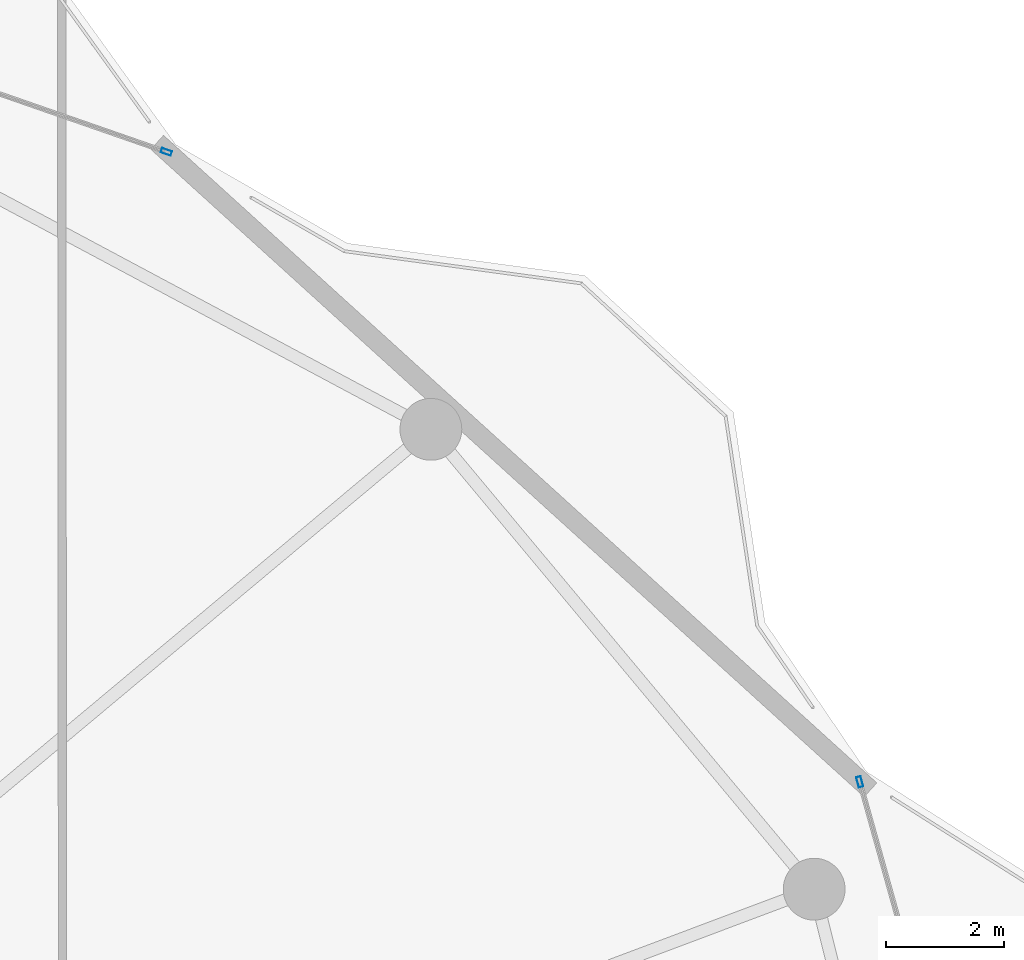
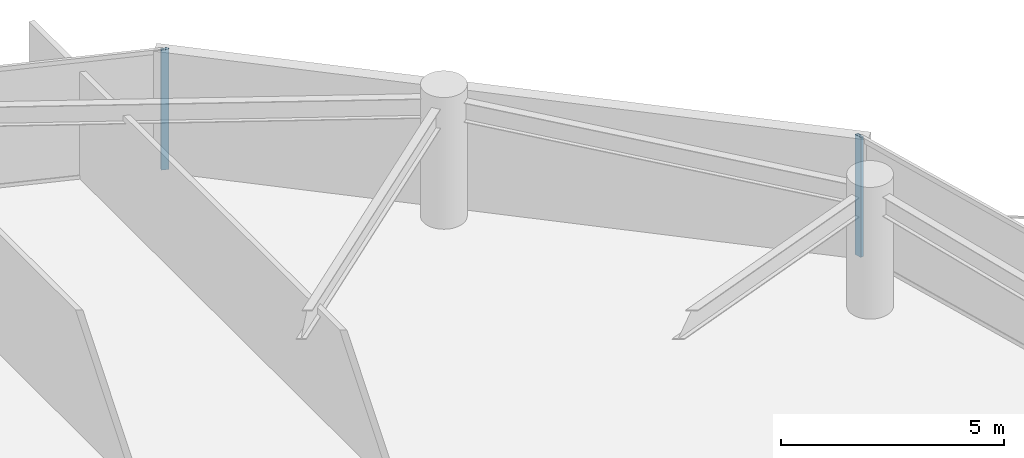
# One storey, part 21 of 29: 2 members, 2 elements without a shape of their own.
"""IFC4 building model written with IfcOpenShell, lengths in metres."""

from ifc_helpers import new_model, si_unit, direction, frame, origin, origin_2d, place, context, subcontext, project, spatial, hollow_rectangle, extrude, material, layer, layer_set, material_profile, profile_set, type_object, element, aggregate, save


model = new_model("IFC4")

# Units and contexts
model_context = context("Model", 3, precision=1e-05, world=origin(), true_north=direction((0.0, 1.0)))
body_context = subcontext(model_context, "Body", "Model", "MODEL_VIEW")
ifc_project = project(units=[si_unit("LENGTHUNIT", "METRE"), si_unit("AREAUNIT", "SQUARE_METRE"), si_unit("VOLUMEUNIT", "CUBIC_METRE"), si_unit("PLANEANGLEUNIT", "RADIAN"), si_unit("MASSUNIT", "GRAM", prefix="KILO")], contexts=[model_context])

# Site, building, storey
site_placement = place(None, origin())
site = spatial("IfcSite", under=ifc_project, at=site_placement, CompositionType="ELEMENT")
building_placement = place(site_placement, origin())
building = spatial("IfcBuilding", under=site, at=building_placement, Name="Kazevale Care Tower and Concert Hall", CompositionType="ELEMENT")
storey_placement = place(building_placement, frame((0.0, 0.0, 249.60009765625)))
storey = spatial("IfcBuildingStorey", under=building, at=storey_placement, Name="L66", CompositionType="ELEMENT", Elevation=249.60009765625)

# Curtain wall, member
ifc_material_1 = material(Name="Aluminium 6063-T6 and Low-E Glass", Category="aluminium")
ifc_layer_1 = layer(ifc_material_1, 0.179931640625)
ifc_layer_set_1 = layer_set([ifc_layer_1], Name="Aluminium 6063-T6 and Low-E Glass")
curtain_wall_type_1 = type_object("IfcCurtainWallType", Name="Convex Checkerboard Finned Curtain Wall CW-2", PredefinedType="NOTDEFINED", material=ifc_layer_set_1)
curtain_wall_1_placement = place(storey_placement, origin())
curtain_wall_1 = element("IfcCurtainWall", 1, at=curtain_wall_1_placement, inside=storey, type_object=curtain_wall_type_1, Name="cw:L66:f16", PredefinedType="NOTDEFINED")
ifc_material_2 = material(Name="Aluminium 6063-T6", Category="aluminium")
ifc_material_profile_1 = material_profile(ifc_material_2, hollow_rectangle(XDim=0.080078125, YDim=0.179931640625, WallThickness=0.0048828125, at=origin_2d()), Name="ALU80x180x5")
ifc_profile_set_1 = profile_set([ifc_material_profile_1], Name="Aluminium 6063-T6")
member_type_1 = type_object("IfcMemberType", Name="CW-2 Mullion ALU80x180x5", PredefinedType="MULLION", material=ifc_profile_set_1)
member_1_placement = place(storey_placement, frame((61.75732421875, 59.72216796875, 0.0), z_axis=(0.0, 0.0, 1.0), x_axis=(0.328583704497, 0.94447485363, 0.0)))
member_1 = element("IfcMember", 2, at=member_1_placement, type_object=member_type_1, Name="CW-2 mullion 2", PredefinedType="MULLION", context=body_context, shape_type="SweptSolid", body=[
    extrude(hollow_rectangle(XDim=0.080078125, YDim=0.179931640625, WallThickness=0.0048828125, at=origin_2d()), origin(), (0.0, 0.0, 1.0), 3.27978515625),
])
aggregate(curtain_wall_1, [member_1])

ifc_layer_2 = layer(ifc_material_1, 0.179931640625)
ifc_layer_set_2 = layer_set([ifc_layer_2], Name="Aluminium 6063-T6 and Low-E Glass")
curtain_wall_type_2 = type_object("IfcCurtainWallType", Name="Waist & Upper Residential Curtain Wall CW-4", PredefinedType="NOTDEFINED", material=ifc_layer_set_2)
curtain_wall_2_placement = place(storey_placement, origin())
curtain_wall_2 = element("IfcCurtainWall", 3, at=curtain_wall_2_placement, inside=storey, type_object=curtain_wall_type_2, Name="cw:L66:f18", PredefinedType="NOTDEFINED")
ifc_material_profile_2 = material_profile(ifc_material_2, hollow_rectangle(XDim=0.080078125, YDim=0.179931640625, WallThickness=0.0048828125, at=origin_2d()), Name="ALU80x180x5")
ifc_profile_set_2 = profile_set([ifc_material_profile_2], Name="Aluminium 6063-T6")
member_type_2 = type_object("IfcMemberType", Name="CW-4 Mullion ALU80x180x5", PredefinedType="MULLION", material=ifc_profile_set_2)
member_2_placement = place(storey_placement, frame((73.53369140625, 49.0234375, 0.0), z_axis=(0.0, 0.0, 1.0), x_axis=(0.962972156211, 0.269600864915, 0.0)))
member_2 = element("IfcMember", 4, at=member_2_placement, type_object=member_type_2, Name="CW-4 mullion 1", PredefinedType="MULLION", context=body_context, shape_type="SweptSolid", body=[
    extrude(hollow_rectangle(XDim=0.080078125, YDim=0.179931640625, WallThickness=0.0048828125, at=origin_2d()), origin(), (0.0, 0.0, 1.0), 3.27978515625),
])
aggregate(curtain_wall_2, [member_2])

save(model, "model.ifc")
